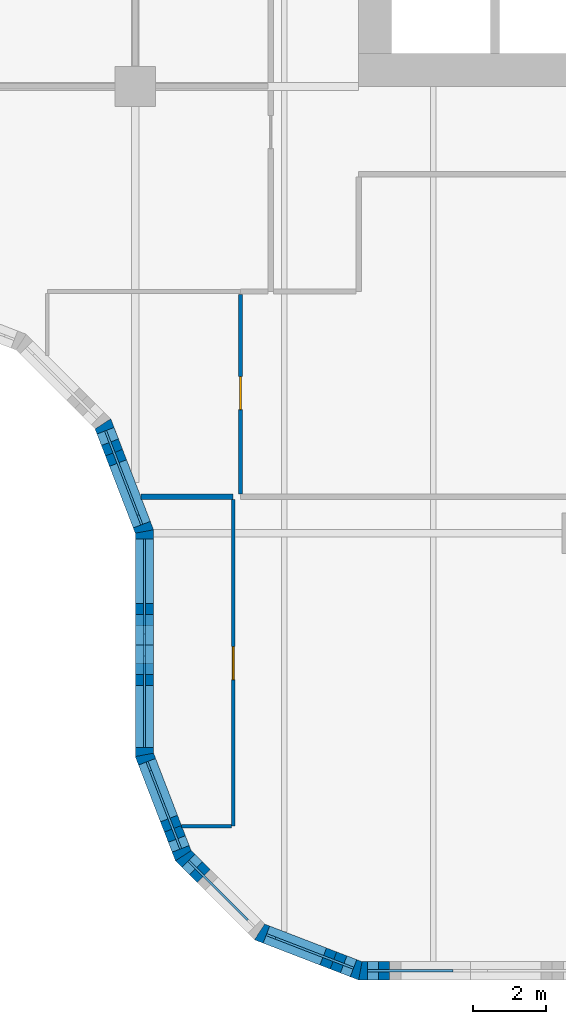
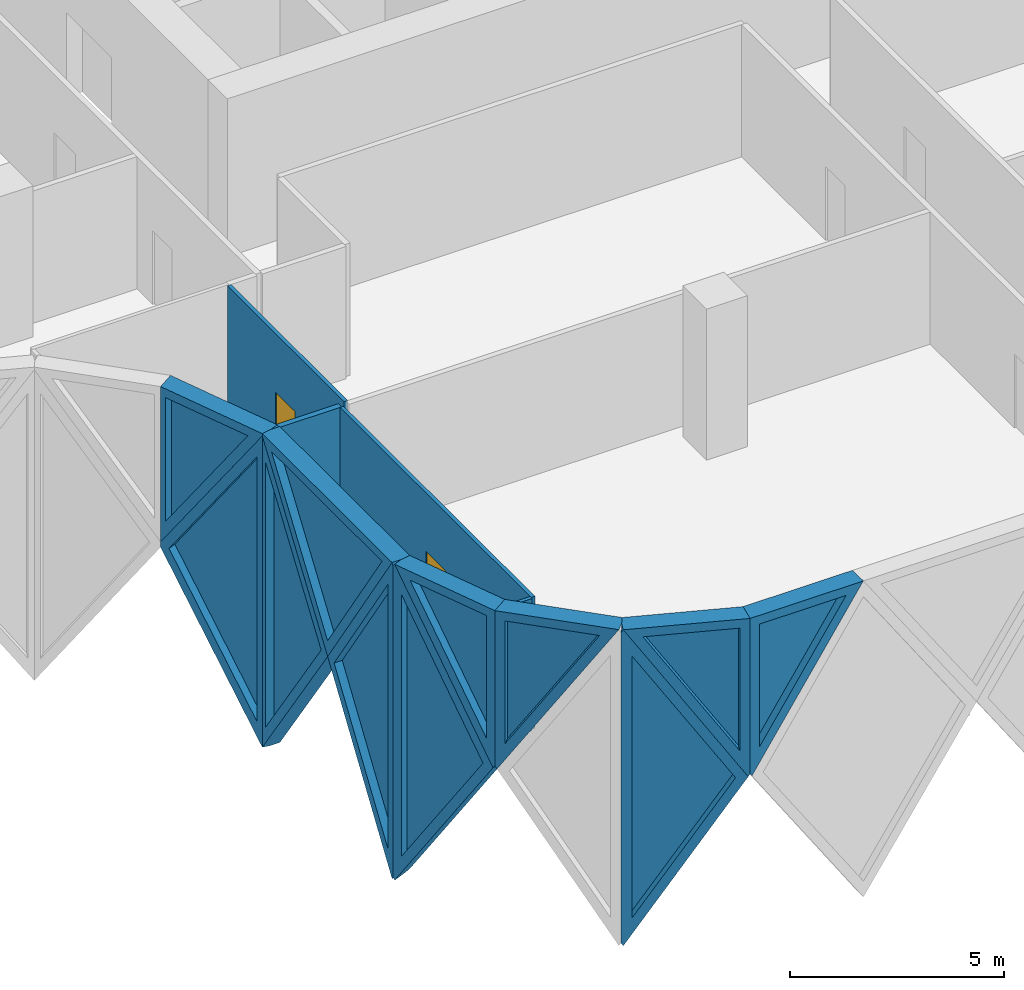
# One storey, part 9 of 30: 15 walls, 11 plates, 2 doors, 13 openings.
"""IFC4 building model written with IfcOpenShell, lengths in metres."""

from ifc_helpers import new_model, si_unit, direction, frame, frame_2d, origin, place, context, subcontext, project, spatial, polyline, rectangle, outline, extrude, faceted_brep, source, transform, mapped, material, layer, layer_set, type_object, element, fill, save


model = new_model("IFC4")

# Units and contexts
model_context = context("Model", 3, precision=1e-05, world=origin(), true_north=direction((0.0, 1.0)))
body_context = subcontext(model_context, "Body", "Model", "MODEL_VIEW")
ifc_project = project(units=[si_unit("LENGTHUNIT", "METRE"), si_unit("AREAUNIT", "SQUARE_METRE"), si_unit("VOLUMEUNIT", "CUBIC_METRE"), si_unit("PLANEANGLEUNIT", "RADIAN"), si_unit("MASSUNIT", "GRAM", prefix="KILO")], contexts=[model_context])

# Site, building, storey
site_placement = place(None, origin())
site = spatial("IfcSite", under=ifc_project, at=site_placement, CompositionType="ELEMENT")
building_placement = place(site_placement, origin())
building = spatial("IfcBuilding", under=site, at=building_placement, Name="Tessera Gate Towers", CompositionType="ELEMENT")
storey_placement = place(building_placement, frame((0.0, 0.0, 21.300048828125)))
storey = spatial("IfcBuildingStorey", under=building, at=storey_placement, Name="L04", CompositionType="ELEMENT", Elevation=21.300048828125)

# Wall
ifc_material_1 = material(Name="Glass", Category="glass")
ifc_layer_1 = layer(ifc_material_1, 0.10009765625)
ifc_layer_set_1 = layer_set([ifc_layer_1], Name="GLAZED PARTITION 100")
wall_type_1 = type_object("IfcWallType", Name="GLAZED PARTITION 100", PredefinedType="PARTITIONING", material=ifc_layer_set_1)
wall_1_placement = place(storey_placement, frame((25.668701171875, 4.199951171875, 0.0), z_axis=(0.0, 0.0, 1.0), x_axis=(1.0, 0.0, 0.0)))
element("IfcWall", 1, at=wall_1_placement, inside=storey, type_object=wall_type_1, Name="T1-L04-PW-003", PredefinedType="PARTITIONING", context=body_context, shape_type="SweptSolid", body=[
    extrude(rectangle(XDim=1.355224609375, YDim=0.10009765625, at=frame_2d((0.677734375, 0.0))), origin(), (0.0, 0.0, 1.0), 3.766845703125),
])

# Wall, opening, door
wall_2_placement = place(storey_placement, frame((27.074951171875, 4.199951171875, 0.0), z_axis=(0.0, 0.0, 1.0), x_axis=(0.0, 1.0, 0.0)))
wall_2 = element("IfcWall", 2, at=wall_2_placement, inside=storey, type_object=wall_type_1, Name="T1-L04-PW-004", PredefinedType="PARTITIONING", context=body_context, shape_type="SweptSolid", body=[
    extrude(rectangle(XDim=8.924072265625, YDim=0.10009765625, at=frame_2d((4.4619140625, 0.0))), origin(), (0.0, 0.0, 1.0), 3.766845703125),
])
shared_shape_1 = source(origin(), body_context, "Body", "SweptSolid", [
    extrude(rectangle(XDim=0.89990234375, YDim=2.10009765625, at=frame_2d((0.449951171875, 1.050048828125))), frame((0.0, 0.06005859375, 0.0), z_axis=(0.0, -1.0, 0.0), x_axis=(1.0, 0.0, 0.0)), (0.0, 0.0, 1.0), 0.1201171875),
])
opening_1_placement = place(wall_2_placement, frame((4.0, 0.0, 0.0)))
opening_1 = element("IfcOpeningElement", 3, at=opening_1_placement, cuts=wall_2, Name="Opening D690-A01-03", PredefinedType="OPENING", context=body_context, shape_type="MappedRepresentation", body=[
    mapped(shared_shape_1, transform((0.0, 0.0, 0.0), scale=1.0)),
])
ifc_material_2 = material(Name="Glass in aluminium frame", Category="aluminium")
door_type = type_object("IfcDoorType", Name="GLAZED DOOR 900 NOT RATED", OperationType="NOTDEFINED", PredefinedType="DOOR", material=ifc_material_2)
shared_shape_2 = source(origin(), body_context, "Body", "SweptSolid", [
    extrude(rectangle(XDim=0.89990234375, YDim=2.10009765625, at=frame_2d((0.449951171875, 1.050048828125))), frame((0.0, 0.02490234375, 0.0), z_axis=(0.0, -1.0, 0.0), x_axis=(1.0, 0.0, 0.0)), (0.0, 0.0, 1.0), 0.050048828125),
])
door_1_placement = place(opening_1_placement, origin())
door_1 = element("IfcDoor", 4, at=door_1_placement, inside=storey, type_object=door_type, Name="T1-L04-PD-023", OperationType="SINGLE_SWING_LEFT", OverallHeight=2.10009765625, OverallWidth=0.89990234375, PredefinedType="DOOR", context=body_context, shape_type="MappedRepresentation", body=[
    mapped(shared_shape_2, transform((0.0, 0.0, 0.0), scale=1.0)),
])
fill(opening_1, door_1)

wall_3_placement = place(storey_placement, frame((27.27490234375, 13.27587890625, 0.0), z_axis=(0.0, 0.0, 1.0), x_axis=(0.0, 1.0, 0.0)))
wall_3 = element("IfcWall", 5, at=wall_3_placement, inside=storey, type_object=wall_type_1, Name="T1-L04-PW-012", PredefinedType="PARTITIONING", context=body_context, shape_type="SweptSolid", body=[
    extrude(rectangle(XDim=5.4482421875, YDim=0.10009765625, at=frame_2d((2.72412109375, 0.0))), origin(), (0.0, 0.0, 1.0), 3.766845703125),
])
opening_2_placement = place(wall_3_placement, frame((2.300048828125, 0.0, 0.0)))
opening_2 = element("IfcOpeningElement", 6, at=opening_2_placement, cuts=wall_3, Name="Opening D690-A01-01", PredefinedType="OPENING", context=body_context, shape_type="MappedRepresentation", body=[
    mapped(shared_shape_1, transform((0.0, 0.0, 0.0), scale=1.0)),
])
door_2_placement = place(opening_2_placement, origin())
door_2 = element("IfcDoor", 7, at=door_2_placement, inside=storey, type_object=door_type, Name="T1-L04-PD-007", OperationType="SINGLE_SWING_LEFT", OverallHeight=2.10009765625, OverallWidth=0.89990234375, PredefinedType="DOOR", context=body_context, shape_type="MappedRepresentation", body=[
    mapped(shared_shape_2, transform((0.0, 0.0, 0.0), scale=1.0)),
])
fill(opening_2, door_2)

# Wall
ifc_material_3 = material(Name="Gypsum board on steel studs, mineral wool", Category="steel")
ifc_layer_2 = layer(ifc_material_3, 0.14990234375)
ifc_layer_set_2 = layer_set([ifc_layer_2], Name="TENANCY WALL 150")
wall_type_2 = type_object("IfcWallType", Name="TENANCY WALL 150", PredefinedType="PARTITIONING", material=ifc_layer_set_2)
wall_4_placement = place(storey_placement, frame((24.55029296875, 13.199951171875, 0.0), z_axis=(0.0, 0.0, 1.0), x_axis=(1.0, 0.0, 0.0)))
element("IfcWall", 8, at=wall_4_placement, inside=storey, type_object=wall_type_2, Name="T1-L04-PW-010", PredefinedType="PARTITIONING", context=body_context, shape_type="SweptSolid", body=[
    extrude(rectangle(XDim=2.524658203125, YDim=0.14990234375, at=frame_2d((1.26220703125, 0.0))), origin(), (0.0, 0.0, 1.0), 3.766845703125),
])

# Wall, opening, plate
ifc_material_4 = material(Name="Precast concrete C60/75 white", Category="concrete")
ifc_layer_3 = layer(ifc_material_4, 0.5)
ifc_layer_set_3 = layer_set([ifc_layer_3], Name="TS3 corner tessera")
wall_type_3 = type_object("IfcWallType", Name="TS3 corner tessera", PredefinedType="SOLIDWALL", material=ifc_layer_set_3)
shared_shape_3 = source(origin(), body_context, "Body", "Brep", [
    faceted_brep([(0.052978515625, -0.25, 0.0), (3.00341796875, -0.25, 4.5), (0.052978515625, -0.25, 9.0), (0.0, -0.25, 8.919189453125), (0.0, -0.25, 0.080810546875), (0.10595703125, 0.25, 8.919189453125), (2.95703125, 0.25, 4.57080078125), (2.95703125, 0.25, 4.42919921875), (0.10595703125, 0.25, 0.080810546875), (3.00341796875, 0.00048828125, 4.5), (0.052978515625, 0.0, 0.0), (0.052978515625, 0.0, 9.0)], [[[0, 1, 2, 3, 4]], [[5, 6, 7, 8]], [[8, 7, 9, 1, 0, 10]], [[6, 5, 11, 2, 1, 9]], [[3, 2, 11]], [[10, 0, 4]], [[8, 10, 4, 3, 11, 5]], [[9, 7, 6]]]),
])
wall_5_placement = place(storey_placement, frame((27.744384765625, 1.3310546875, -4.5), z_axis=(0.0, 0.0, 1.0), x_axis=(0.932970071518, -0.359953949349, 0.0)))
wall_5 = element("IfcWall", 9, at=wall_5_placement, inside=storey, type_object=wall_type_3, Name="Precast corner tessera T1 TS3-0048", PredefinedType="SOLIDWALL", context=body_context, shape_type="MappedRepresentation", body=[
    mapped(shared_shape_3, transform((0.0, 0.0, 0.0), scale=1.0)),
])
shared_shape_4 = source(origin(), body_context, "Body", "SweptSolid", [
    extrude(outline(polyline([(0.2529296875, 0.760986328125), (2.70458984375, 4.5), (0.2529296875, 8.239013671875), (0.2529296875, 0.760986328125)])), frame((0.0, 0.260009765625, 0.0), z_axis=(0.0, -1.0, 0.0), x_axis=(1.0, 0.0, 0.0)), (0.0, 0.0, 1.0), 0.52001953125),
])
opening_3_placement = place(wall_5_placement, origin())
opening_3 = element("IfcOpeningElement", 10, at=opening_3_placement, cuts=wall_5, Name="Opening T1-PL2-0046", PredefinedType="OPENING", context=body_context, shape_type="MappedRepresentation", body=[
    mapped(shared_shape_4, transform((0.0, 0.0, 0.0), scale=1.0)),
])
ifc_material_5 = material(Name="Low-e laminated glass", Category="glass")
ifc_layer_4 = layer(ifc_material_5, 0.06005859375)
ifc_layer_set_4 = layer_set([ifc_layer_4], Name="PL2 rhombic pane")
plate_type_1 = type_object("IfcPlateType", Name="PL2 rhombic pane", PredefinedType="SHEET", material=ifc_layer_set_4)
shared_shape_5 = source(origin(), body_context, "Body", "SweptSolid", [
    extrude(outline(polyline([(0.2529296875, 0.760986328125), (2.70458984375, 4.5), (0.2529296875, 8.239013671875), (0.2529296875, 0.760986328125)])), frame((0.0, 0.030029296875, 0.0), z_axis=(0.0, -1.0, 0.0), x_axis=(1.0, 0.0, 0.0)), (0.0, 0.0, 1.0), 0.06005859375),
])
plate_1_placement = place(opening_3_placement, origin())
plate_1 = element("IfcPlate", 11, at=plate_1_placement, inside=storey, type_object=plate_type_1, Name="Glass pane T1 PL2-0046", PredefinedType="SHEET", context=body_context, shape_type="MappedRepresentation", body=[
    mapped(shared_shape_5, transform((0.0, 0.0, 0.0), scale=1.0)),
])
fill(opening_3, plate_1)

shared_shape_6 = source(origin(), body_context, "Body", "Brep", [
    faceted_brep([(3.00341796875, -0.25, 0.0), (3.050048828125, -0.25, 0.071044921875), (3.050048828125, -0.25, 8.928955078125), (3.00341796875, -0.25, 9.0), (0.0, -0.25, 4.5), (0.0, 0.25, 4.5), (2.956787109375, 0.25, 8.930419921875), (2.956787109375, 0.25, 0.069580078125), (3.00341796875, 0.000244140625, 0.0), (3.00341796875, 0.000244140625, 9.0)], [[[0, 1, 2, 3, 4]], [[5, 6, 7]], [[1, 0, 8]], [[9, 3, 2]], [[6, 5, 4, 3, 9]], [[5, 7, 8, 0, 4]], [[1, 8, 7, 6, 9, 2]]]),
])
wall_6_placement = place(storey_placement, frame((24.64990234375, 9.14990234375, -4.5), z_axis=(0.0, 0.0, 1.0), x_axis=(0.0, -1.0, 0.0)))
wall_6 = element("IfcWall", 12, at=wall_6_placement, inside=storey, type_object=wall_type_3, Name="Precast corner tessera T1 TS3-0045", PredefinedType="SOLIDWALL", context=body_context, shape_type="MappedRepresentation", body=[
    mapped(shared_shape_6, transform((0.0, 0.0, 0.0), scale=1.0)),
])
shared_shape_7 = source(origin(), body_context, "Body", "SweptSolid", [
    extrude(outline(polyline([(2.803466796875, 8.25), (0.300537109375, 4.5), (2.803466796875, 0.75), (2.803466796875, 8.25)])), frame((0.0, 0.260009765625, 0.0), z_axis=(0.0, -1.0, 0.0), x_axis=(1.0, 0.0, 0.0)), (0.0, 0.0, 1.0), 0.52001953125),
])
opening_4_placement = place(wall_6_placement, origin())
opening_4 = element("IfcOpeningElement", 13, at=opening_4_placement, cuts=wall_6, Name="Opening T1-PL2-0043", PredefinedType="OPENING", context=body_context, shape_type="MappedRepresentation", body=[
    mapped(shared_shape_7, transform((0.0, 0.0, 0.0), scale=1.0)),
])
shared_shape_8 = source(origin(), body_context, "Body", "SweptSolid", [
    extrude(outline(polyline([(2.803466796875, 8.25), (0.300537109375, 4.5), (2.803466796875, 0.75), (2.803466796875, 8.25)])), frame((0.0, 0.030029296875, 0.0), z_axis=(0.0, -1.0, 0.0), x_axis=(1.0, 0.0, 0.0)), (0.0, 0.0, 1.0), 0.06005859375),
])
plate_2_placement = place(opening_4_placement, origin())
plate_2 = element("IfcPlate", 14, at=plate_2_placement, inside=storey, type_object=plate_type_1, Name="Glass pane T1 PL2-0043", PredefinedType="SHEET", context=body_context, shape_type="MappedRepresentation", body=[
    mapped(shared_shape_8, transform((0.0, 0.0, 0.0), scale=1.0)),
])
fill(opening_4, plate_2)

shared_shape_9 = source(origin(), body_context, "Body", "Brep", [
    faceted_brep([(0.046630859375, -0.25, 0.0), (2.9970703125, -0.25, 4.5), (0.046630859375, -0.25, 9.0), (0.0, -0.25, 8.93017578125), (0.0, -0.25, 0.06982421875), (0.09326171875, 0.25, 8.928955078125), (2.9443359375, 0.25, 4.58056640625), (2.9443359375, 0.25, 4.41943359375), (0.09326171875, 0.25, 0.071044921875), (2.9970703125, 0.00048828125, 4.5), (0.046630859375, 0.0, 0.0), (0.046630859375, 0.0, 9.0)], [[[0, 1, 2, 3, 4]], [[5, 6, 7, 8]], [[8, 7, 9, 1, 0, 10]], [[6, 5, 11, 2, 1, 9]], [[3, 2, 11]], [[10, 0, 4]], [[8, 10, 4, 3, 11, 5]], [[9, 7, 6]]]),
])
wall_7_placement = place(storey_placement, frame((24.63330078125, 6.18994140625, -4.5), z_axis=(0.0, 0.0, 1.0), x_axis=(0.359901446078, -0.932990326376, 0.0)))
wall_7 = element("IfcWall", 15, at=wall_7_placement, inside=storey, type_object=wall_type_3, Name="Precast corner tessera T1 TS3-0046", PredefinedType="SOLIDWALL", context=body_context, shape_type="MappedRepresentation", body=[
    mapped(shared_shape_9, transform((0.0, 0.0, 0.0), scale=1.0)),
])
shared_shape_10 = source(origin(), body_context, "Body", "SweptSolid", [
    extrude(outline(polyline([(0.24658203125, 0.760986328125), (2.6982421875, 4.5), (0.24658203125, 8.239013671875), (0.24658203125, 0.760986328125)])), frame((0.0, 0.260009765625, 0.0), z_axis=(0.0, -1.0, 0.0), x_axis=(1.0, 0.0, 0.0)), (0.0, 0.0, 1.0), 0.52001953125),
])
opening_5_placement = place(wall_7_placement, origin())
opening_5 = element("IfcOpeningElement", 16, at=opening_5_placement, cuts=wall_7, Name="Opening T1-PL2-0044", PredefinedType="OPENING", context=body_context, shape_type="MappedRepresentation", body=[
    mapped(shared_shape_10, transform((0.0, 0.0, 0.0), scale=1.0)),
])
shared_shape_11 = source(origin(), body_context, "Body", "SweptSolid", [
    extrude(outline(polyline([(0.24658203125, 0.760986328125), (2.6982421875, 4.5), (0.24658203125, 8.239013671875), (0.24658203125, 0.760986328125)])), frame((0.0, 0.030029296875, 0.0), z_axis=(0.0, -1.0, 0.0), x_axis=(1.0, 0.0, 0.0)), (0.0, 0.0, 1.0), 0.06005859375),
])
plate_3_placement = place(opening_5_placement, origin())
plate_3 = element("IfcPlate", 17, at=plate_3_placement, inside=storey, type_object=plate_type_1, Name="Glass pane T1 PL2-0044", PredefinedType="SHEET", context=body_context, shape_type="MappedRepresentation", body=[
    mapped(shared_shape_11, transform((0.0, 0.0, 0.0), scale=1.0)),
])
fill(opening_5, plate_3)

shared_shape_12 = source(origin(), body_context, "Body", "Brep", [
    faceted_brep([(3.10302734375, -0.25, 8.93359375), (0.052978515625, -0.25, 4.57568359375), (0.052978515625, -0.25, 4.42431640625), (3.10302734375, -0.25, 0.06640625), (0.0, 0.25, 4.5), (3.1494140625, 0.25, 9.0), (3.196044921875, 0.25, 8.932373046875), (3.196044921875, 0.25, 0.067626953125), (3.1494140625, 0.25, 0.0), (3.1494140625, -0.000244140625, 0.0), (3.1494140625, -0.000244140625, 9.0), (0.0, 0.0, 4.5)], [[[0, 1, 2, 3]], [[4, 5, 6, 7, 8]], [[8, 7, 9]], [[6, 5, 10]], [[5, 4, 11, 1, 0, 10]], [[4, 8, 9, 3, 2, 11]], [[11, 2, 1]], [[3, 9, 7, 6, 10, 0]]]),
])
wall_8_placement = place(storey_placement, frame((23.5166015625, 15.18505859375, -4.5), z_axis=(0.0, 0.0, 1.0), x_axis=(0.359864468756, -0.933004589553, 0.0)))
wall_8 = element("IfcWall", 18, at=wall_8_placement, inside=storey, type_object=wall_type_3, Name="Precast corner tessera T1 TS3-0043", PredefinedType="SOLIDWALL", context=body_context, shape_type="MappedRepresentation", body=[
    mapped(shared_shape_12, transform((0.0, 0.0, 0.0), scale=1.0)),
])
shared_shape_13 = source(origin(), body_context, "Body", "SweptSolid", [
    extrude(outline(polyline([(2.949462890625, 8.278076171875), (0.30517578125, 4.5), (2.949462890625, 0.7216796875), (2.949462890625, 8.278076171875)])), frame((0.0, 0.260009765625, 0.0), z_axis=(0.0, -1.0, 0.0), x_axis=(1.0, 0.0, 0.0)), (0.0, 0.0, 1.0), 0.52001953125),
])
opening_6_placement = place(wall_8_placement, origin())
opening_6 = element("IfcOpeningElement", 19, at=opening_6_placement, cuts=wall_8, Name="Opening T1-PL2-0041", PredefinedType="OPENING", context=body_context, shape_type="MappedRepresentation", body=[
    mapped(shared_shape_13, transform((0.0, 0.0, 0.0), scale=1.0)),
])
shared_shape_14 = source(origin(), body_context, "Body", "SweptSolid", [
    extrude(outline(polyline([(2.949462890625, 8.278076171875), (0.30517578125, 4.5), (2.949462890625, 0.7216796875), (2.949462890625, 8.278076171875)])), frame((0.0, 0.030029296875, 0.0), z_axis=(0.0, -1.0, 0.0), x_axis=(1.0, 0.0, 0.0)), (0.0, 0.0, 1.0), 0.06005859375),
])
plate_4_placement = place(opening_6_placement, origin())
plate_4 = element("IfcPlate", 20, at=plate_4_placement, inside=storey, type_object=plate_type_1, Name="Glass pane T1 PL2-0041", PredefinedType="SHEET", context=body_context, shape_type="MappedRepresentation", body=[
    mapped(shared_shape_14, transform((0.0, 0.0, 0.0), scale=1.0)),
])
fill(opening_6, plate_4)

shared_shape_15 = source(origin(), body_context, "Body", "Brep", [
    faceted_brep([(0.09326171875, -0.25, 0.067626953125), (3.14306640625, -0.25, 4.5), (0.09326171875, -0.25, 8.932373046875), (0.0, 0.25, 8.93359375), (0.046630859375, 0.25, 9.0), (3.14306640625, 0.25, 4.5), (0.046630859375, 0.25, 0.0), (0.0, 0.25, 0.06640625), (0.046630859375, 0.0, 0.0), (0.046630859375, 0.0, 9.0)], [[[0, 1, 2]], [[3, 4, 5, 6, 7]], [[6, 5, 1, 0, 8]], [[5, 4, 9, 2, 1]], [[4, 3, 9]], [[7, 6, 8]], [[7, 8, 0, 2, 9, 3]]]),
])
wall_9_placement = place(storey_placement, frame((24.64990234375, 12.293212890625, -4.5), z_axis=(0.0, 0.0, 1.0), x_axis=(0.0, -1.0, 0.0)))
wall_9 = element("IfcWall", 21, at=wall_9_placement, inside=storey, type_object=wall_type_3, Name="Precast corner tessera T1 TS3-0044", PredefinedType="SOLIDWALL", context=body_context, shape_type="MappedRepresentation", body=[
    mapped(shared_shape_15, transform((0.0, 0.0, 0.0), scale=1.0)),
])
shared_shape_16 = source(origin(), body_context, "Body", "SweptSolid", [
    extrude(outline(polyline([(0.24658203125, 0.731689453125), (2.839599609375, 4.5), (0.24658203125, 8.268310546875), (0.24658203125, 0.731689453125)])), frame((0.0, 0.260009765625, 0.0), z_axis=(0.0, -1.0, 0.0), x_axis=(1.0, 0.0, 0.0)), (0.0, 0.0, 1.0), 0.52001953125),
])
opening_7_placement = place(wall_9_placement, origin())
opening_7 = element("IfcOpeningElement", 22, at=opening_7_placement, cuts=wall_9, Name="Opening T1-PL2-0042", PredefinedType="OPENING", context=body_context, shape_type="MappedRepresentation", body=[
    mapped(shared_shape_16, transform((0.0, 0.0, 0.0), scale=1.0)),
])
shared_shape_17 = source(origin(), body_context, "Body", "SweptSolid", [
    extrude(outline(polyline([(0.24658203125, 0.731689453125), (2.839599609375, 4.5), (0.24658203125, 8.268310546875), (0.24658203125, 0.731689453125)])), frame((0.0, 0.030029296875, 0.0), z_axis=(0.0, -1.0, 0.0), x_axis=(1.0, 0.0, 0.0)), (0.0, 0.0, 1.0), 0.06005859375),
])
plate_5_placement = place(opening_7_placement, origin())
plate_5 = element("IfcPlate", 23, at=plate_5_placement, inside=storey, type_object=plate_type_1, Name="Glass pane T1 PL2-0042", PredefinedType="SHEET", context=body_context, shape_type="MappedRepresentation", body=[
    mapped(shared_shape_17, transform((0.0, 0.0, 0.0), scale=1.0)),
])
fill(opening_7, plate_5)

shared_shape_18 = source(origin(), body_context, "Body", "Brep", [
    faceted_brep([(0.046630859375, -0.25, 0.0), (3.050048828125, -0.25, 4.5), (0.0, -0.25, 4.5), (0.0, -0.25, 0.071044921875), (0.09326171875, 0.25, 4.5), (3.050048828125, 0.25, 4.5), (0.09326171875, 0.25, 0.06982421875), (0.046630859375, 0.0, 0.0)], [[[0, 1, 2, 3]], [[4, 5, 6]], [[6, 5, 1, 0, 7]], [[5, 4, 2, 1]], [[7, 0, 3]], [[6, 7, 3, 2, 4]]]),
])
wall_10_placement = place(storey_placement, frame((30.5, 0.25, 0.0), z_axis=(0.0, 0.0, 1.0), x_axis=(1.0, 0.0, 0.0)))
wall_10 = element("IfcWall", 24, at=wall_10_placement, inside=storey, type_object=wall_type_3, Name="Precast corner tessera T1 TS3-0049", PredefinedType="SOLIDWALL", context=body_context, shape_type="MappedRepresentation", body=[
    mapped(shared_shape_18, transform((0.0, 0.0, 0.0), scale=1.0)),
])
shared_shape_19 = source(origin(), body_context, "Body", "SweptSolid", [
    extrude(outline(polyline([(0.24658203125, 0.75), (2.582763671875, 4.25), (0.24658203125, 4.25), (0.24658203125, 0.75)])), frame((0.0, 0.260009765625, 0.0), z_axis=(0.0, -1.0, 0.0), x_axis=(1.0, 0.0, 0.0)), (0.0, 0.0, 1.0), 0.52001953125),
])
opening_8_placement = place(wall_10_placement, origin())
opening_8 = element("IfcOpeningElement", 25, at=opening_8_placement, cuts=wall_10, Name="Opening T1-PL1-0047", PredefinedType="OPENING", context=body_context, shape_type="MappedRepresentation", body=[
    mapped(shared_shape_19, transform((0.0, 0.0, 0.0), scale=1.0)),
])
ifc_material_6 = material(Name="Low-e laminated glass", Category="glass")
ifc_layer_5 = layer(ifc_material_6, 0.06005859375)
ifc_layer_set_5 = layer_set([ifc_layer_5], Name="PL1 triangular pane")
plate_type_2 = type_object("IfcPlateType", Name="PL1 triangular pane", PredefinedType="SHEET", material=ifc_layer_set_5)
shared_shape_20 = source(origin(), body_context, "Body", "SweptSolid", [
    extrude(outline(polyline([(0.24658203125, 0.75), (2.582763671875, 4.25), (0.24658203125, 4.25), (0.24658203125, 0.75)])), frame((0.0, 0.030029296875, 0.0), z_axis=(0.0, -1.0, 0.0), x_axis=(1.0, 0.0, 0.0)), (0.0, 0.0, 1.0), 0.06005859375),
])
plate_6_placement = place(opening_8_placement, origin())
plate_6 = element("IfcPlate", 26, at=plate_6_placement, inside=storey, type_object=plate_type_2, Name="Glass pane T1 PL1-0047", PredefinedType="SHEET", context=body_context, shape_type="MappedRepresentation", body=[
    mapped(shared_shape_20, transform((0.0, 0.0, 0.0), scale=1.0)),
])
fill(opening_8, plate_6)

shared_shape_21 = source(origin(), body_context, "Body", "Brep", [
    faceted_brep([(2.950439453125, -0.25, 0.0), (2.9970703125, -0.25, 0.06982421875), (2.9970703125, -0.25, 4.5), (0.0, -0.25, 4.5), (0.052978515625, 0.25, 4.5), (2.904052734375, 0.25, 4.5), (2.904052734375, 0.25, 0.07080078125), (0.052978515625, 0.25, 4.419189453125), (2.950439453125, 0.00048828125, 0.0), (0.0, 0.0, 4.5)], [[[0, 1, 2, 3]], [[4, 5, 6, 7]], [[1, 0, 8]], [[5, 4, 9, 3, 2]], [[7, 6, 8, 0, 3, 9]], [[7, 9, 4]], [[1, 8, 6, 5, 2]]]),
])
wall_11_placement = place(storey_placement, frame((27.793701171875, 1.31201171875, 0.0), z_axis=(0.0, 0.0, 1.0), x_axis=(0.932973525033, -0.359944998003, 0.0)))
wall_11 = element("IfcWall", 27, at=wall_11_placement, inside=storey, type_object=wall_type_3, Name="Precast corner tessera T1 TS3-0050", PredefinedType="SOLIDWALL", context=body_context, shape_type="MappedRepresentation", body=[
    mapped(shared_shape_21, transform((0.0, 0.0, 0.0), scale=1.0)),
])
shared_shape_22 = source(origin(), body_context, "Body", "SweptSolid", [
    extrude(outline(polyline([(2.75048828125, 4.25), (0.462890625, 4.25), (2.75048828125, 0.760986328125), (2.75048828125, 4.25)])), frame((0.0, 0.260009765625, 0.0), z_axis=(0.0, -1.0, 0.0), x_axis=(1.0, 0.0, 0.0)), (0.0, 0.0, 1.0), 0.52001953125),
])
opening_9_placement = place(wall_11_placement, origin())
opening_9 = element("IfcOpeningElement", 28, at=opening_9_placement, cuts=wall_11, Name="Opening T1-PL1-0048", PredefinedType="OPENING", context=body_context, shape_type="MappedRepresentation", body=[
    mapped(shared_shape_22, transform((0.0, 0.0, 0.0), scale=1.0)),
])
shared_shape_23 = source(origin(), body_context, "Body", "SweptSolid", [
    extrude(outline(polyline([(2.75048828125, 4.25), (0.462890625, 4.25), (2.75048828125, 0.760986328125), (2.75048828125, 4.25)])), frame((0.0, 0.030029296875, 0.0), z_axis=(0.0, -1.0, 0.0), x_axis=(1.0, 0.0, 0.0)), (0.0, 0.0, 1.0), 0.06005859375),
])
plate_7_placement = place(opening_9_placement, origin())
plate_7 = element("IfcPlate", 29, at=plate_7_placement, inside=storey, type_object=plate_type_2, Name="Glass pane T1 PL1-0048", PredefinedType="SHEET", context=body_context, shape_type="MappedRepresentation", body=[
    mapped(shared_shape_23, transform((0.0, 0.0, 0.0), scale=1.0)),
])
fill(opening_9, plate_7)

shared_shape_24 = source(origin(), body_context, "Body", "Brep", [
    faceted_brep([(0.10595703125, -0.25, 0.07568359375), (3.156005859375, -0.25, 4.43359375), (3.156005859375, -0.25, 4.5), (0.10595703125, -0.25, 4.5), (0.0, 0.25, 4.5), (3.202392578125, 0.25, 4.5), (0.052978515625, 0.25, 0.0), (0.0, 0.25, 0.075439453125), (3.202392578125, -0.000244140625, 4.5), (0.052978515625, 0.0, 0.0)], [[[0, 1, 2, 3]], [[4, 5, 6, 7]], [[6, 5, 8, 1, 0, 9]], [[5, 4, 3, 2, 8]], [[7, 6, 9]], [[7, 9, 0, 3, 4]], [[1, 8, 2]]]),
])
wall_12_placement = place(storey_placement, frame((23.497314453125, 15.234375, 0.0), z_axis=(0.0, 0.0, 1.0), x_axis=(0.359913782069, -0.932985567668, 0.0)))
wall_12 = element("IfcWall", 30, at=wall_12_placement, inside=storey, type_object=wall_type_3, Name="Precast corner tessera T1 TS3-0070", PredefinedType="SOLIDWALL", context=body_context, shape_type="MappedRepresentation", body=[
    mapped(shared_shape_24, transform((0.0, 0.0, 0.0), scale=1.0)),
])
shared_shape_25 = source(origin(), body_context, "Body", "SweptSolid", [
    extrude(outline(polyline([(0.2529296875, 0.7216796875), (2.722412109375, 4.25), (0.2529296875, 4.25), (0.2529296875, 0.7216796875)])), frame((0.0, 0.260009765625, 0.0), z_axis=(0.0, -1.0, 0.0), x_axis=(1.0, 0.0, 0.0)), (0.0, 0.0, 1.0), 0.52001953125),
])
opening_10_placement = place(wall_12_placement, origin())
opening_10 = element("IfcOpeningElement", 31, at=opening_10_placement, cuts=wall_12, Name="Opening T1-PL1-0090", PredefinedType="OPENING", context=body_context, shape_type="MappedRepresentation", body=[
    mapped(shared_shape_25, transform((0.0, 0.0, 0.0), scale=1.0)),
])
shared_shape_26 = source(origin(), body_context, "Body", "SweptSolid", [
    extrude(outline(polyline([(0.2529296875, 0.7216796875), (2.722412109375, 4.25), (0.2529296875, 4.25), (0.2529296875, 0.7216796875)])), frame((0.0, 0.030029296875, 0.0), z_axis=(0.0, -1.0, 0.0), x_axis=(1.0, 0.0, 0.0)), (0.0, 0.0, 1.0), 0.06005859375),
])
plate_8_placement = place(opening_10_placement, origin())
plate_8 = element("IfcPlate", 32, at=plate_8_placement, inside=storey, type_object=plate_type_2, Name="Glass pane T1 PL1-0090", PredefinedType="SHEET", context=body_context, shape_type="MappedRepresentation", body=[
    mapped(shared_shape_26, transform((0.0, 0.0, 0.0), scale=1.0)),
])
fill(opening_10, plate_8)

ifc_material_7 = material(Name="Precast concrete C60/75 white", Category="concrete")
ifc_layer_6 = layer(ifc_material_7, 0.5)
ifc_layer_set_6 = layer_set([ifc_layer_6], Name="TS2 half tessera")
wall_type_4 = type_object("IfcWallType", Name="TS2 half tessera", PredefinedType="SOLIDWALL", material=ifc_layer_set_6)
shared_shape_27 = source(origin(), body_context, "Body", "Brep", [
    faceted_brep([(3.096435546875, -0.25, 0.0), (6.10009765625, -0.25, 4.5), (0.046630859375, -0.25, 4.5), (0.046630859375, -0.25, 4.432373046875), (0.0, 0.25, 4.5), (6.053466796875, 0.25, 4.5), (6.053466796875, 0.25, 4.43017578125), (3.096435546875, 0.25, 0.0), (6.10009765625, -0.00048828125, 4.5), (0.0, 0.0, 4.5)], [[[0, 1, 2, 3]], [[4, 5, 6, 7]], [[7, 6, 8, 1, 0]], [[5, 4, 9, 2, 1, 8]], [[4, 7, 0, 3, 9]], [[3, 2, 9]], [[6, 5, 8]]]),
])
wall_13_placement = place(storey_placement, frame((24.64990234375, 12.24658203125, 0.0), z_axis=(0.0, 0.0, 1.0), x_axis=(0.0, -1.0, 0.0)))
wall_13 = element("IfcWall", 33, at=wall_13_placement, inside=storey, type_object=wall_type_4, Name="Precast half tessera T1 TS2-0045", PredefinedType="SOLIDWALL", context=body_context, shape_type="MappedRepresentation", body=[
    mapped(shared_shape_27, transform((0.0, 0.0, 0.0), scale=1.0)),
])
shared_shape_28 = source(origin(), body_context, "Body", "SweptSolid", [
    extrude(outline(polyline([(3.093505859375, 0.445556640625), (5.632568359375, 4.25), (0.4755859375, 4.25), (3.093505859375, 0.445556640625)])), frame((0.0, 0.260009765625, 0.0), z_axis=(0.0, -1.0, 0.0), x_axis=(1.0, 0.0, 0.0)), (0.0, 0.0, 1.0), 0.52001953125),
])
opening_11_placement = place(wall_13_placement, origin())
opening_11 = element("IfcOpeningElement", 34, at=opening_11_placement, cuts=wall_13, Name="Opening T1-PL1-0091", PredefinedType="OPENING", context=body_context, shape_type="MappedRepresentation", body=[
    mapped(shared_shape_28, transform((0.0, 0.0, 0.0), scale=1.0)),
])
shared_shape_29 = source(origin(), body_context, "Body", "SweptSolid", [
    extrude(outline(polyline([(3.093505859375, 0.445556640625), (5.632568359375, 4.25), (0.4755859375, 4.25), (3.093505859375, 0.445556640625)])), frame((0.0, 0.030029296875, 0.0), z_axis=(0.0, -1.0, 0.0), x_axis=(1.0, 0.0, 0.0)), (0.0, 0.0, 1.0), 0.06005859375),
])
plate_9_placement = place(opening_11_placement, origin())
plate_9 = element("IfcPlate", 35, at=plate_9_placement, inside=storey, type_object=plate_type_2, Name="Glass pane T1 PL1-0091", PredefinedType="SHEET", context=body_context, shape_type="MappedRepresentation", body=[
    mapped(shared_shape_29, transform((0.0, 0.0, 0.0), scale=1.0)),
])
fill(opening_11, plate_9)

shared_shape_30 = source(origin(), body_context, "Body", "Brep", [
    faceted_brep([(2.950439453125, -0.25, 0.0), (3.00341796875, -0.25, 0.0810546875), (3.00341796875, -0.25, 4.5), (0.0, -0.25, 4.5), (0.046630859375, 0.25, 4.5), (2.897705078125, 0.25, 4.5), (2.897705078125, 0.25, 0.08056640625), (0.046630859375, 0.25, 4.428955078125), (2.950439453125, 0.00048828125, 0.0), (0.0, 0.0, 4.5)], [[[0, 1, 2, 3]], [[4, 5, 6, 7]], [[1, 0, 8]], [[5, 4, 9, 3, 2]], [[7, 6, 8, 0, 3, 9]], [[7, 9, 4]], [[1, 8, 6, 5, 2]]]),
])
wall_14_placement = place(storey_placement, frame((24.64990234375, 6.146484375, 0.0), z_axis=(0.0, 0.0, 1.0), x_axis=(0.359953949349, -0.932970071518, 0.0)))
wall_14 = element("IfcWall", 36, at=wall_14_placement, inside=storey, type_object=wall_type_3, Name="Precast corner tessera T1 TS3-0071", PredefinedType="SOLIDWALL", context=body_context, shape_type="MappedRepresentation", body=[
    mapped(shared_shape_30, transform((0.0, 0.0, 0.0), scale=1.0)),
])
opening_12_placement = place(wall_14_placement, origin())
opening_12 = element("IfcOpeningElement", 37, at=opening_12_placement, cuts=wall_14, Name="Opening T1-PL1-0092", PredefinedType="OPENING", context=body_context, shape_type="MappedRepresentation", body=[
    mapped(shared_shape_22, transform((0.0, 0.0, 0.0), scale=1.0)),
])
plate_10_placement = place(opening_12_placement, origin())
plate_10 = element("IfcPlate", 38, at=plate_10_placement, inside=storey, type_object=plate_type_2, Name="Glass pane T1 PL1-0092", PredefinedType="SHEET", context=body_context, shape_type="MappedRepresentation", body=[
    mapped(shared_shape_23, transform((0.0, 0.0, 0.0), scale=1.0)),
])
fill(opening_12, plate_10)

shared_shape_31 = source(origin(), body_context, "Body", "Brep", [
    faceted_brep([(0.052978515625, -0.25, 0.0), (2.9970703125, -0.25, 4.5), (0.0, -0.25, 4.5), (0.0, -0.25, 0.080810546875), (0.10595703125, 0.25, 4.5), (2.944091796875, 0.25, 4.5), (2.944091796875, 0.25, 4.419189453125), (0.10595703125, 0.25, 0.080810546875), (2.9970703125, 0.000244140625, 4.5), (0.052978515625, 0.0, 0.0)], [[[0, 1, 2, 3]], [[4, 5, 6, 7]], [[7, 6, 8, 1, 0, 9]], [[5, 4, 2, 1, 8]], [[9, 0, 3]], [[7, 9, 3, 2, 4]], [[6, 5, 8]]]),
])
wall_15_placement = place(storey_placement, frame((25.674560546875, 3.43115234375, 0.0), z_axis=(0.0, 0.0, 1.0), x_axis=(0.707106781187, -0.707106781187, 0.0)))
wall_15 = element("IfcWall", 39, at=wall_15_placement, inside=storey, type_object=wall_type_3, Name="Precast corner tessera T1 TS3-0072", PredefinedType="SOLIDWALL", context=body_context, shape_type="MappedRepresentation", body=[
    mapped(shared_shape_31, transform((0.0, 0.0, 0.0), scale=1.0)),
])
shared_shape_32 = source(origin(), body_context, "Body", "SweptSolid", [
    extrude(outline(polyline([(0.2529296875, 0.76220703125), (2.534912109375, 4.25), (0.2529296875, 4.25), (0.2529296875, 0.76220703125)])), frame((0.0, 0.260009765625, 0.0), z_axis=(0.0, -1.0, 0.0), x_axis=(1.0, 0.0, 0.0)), (0.0, 0.0, 1.0), 0.52001953125),
])
opening_13_placement = place(wall_15_placement, origin())
opening_13 = element("IfcOpeningElement", 40, at=opening_13_placement, cuts=wall_15, Name="Opening T1-PL1-0093", PredefinedType="OPENING", context=body_context, shape_type="MappedRepresentation", body=[
    mapped(shared_shape_32, transform((0.0, 0.0, 0.0), scale=1.0)),
])
shared_shape_33 = source(origin(), body_context, "Body", "SweptSolid", [
    extrude(outline(polyline([(0.2529296875, 0.76220703125), (2.534912109375, 4.25), (0.2529296875, 4.25), (0.2529296875, 0.76220703125)])), frame((0.0, 0.030029296875, 0.0), z_axis=(0.0, -1.0, 0.0), x_axis=(1.0, 0.0, 0.0)), (0.0, 0.0, 1.0), 0.06005859375),
])
plate_11_placement = place(opening_13_placement, origin())
plate_11 = element("IfcPlate", 41, at=plate_11_placement, inside=storey, type_object=plate_type_2, Name="Glass pane T1 PL1-0093", PredefinedType="SHEET", context=body_context, shape_type="MappedRepresentation", body=[
    mapped(shared_shape_33, transform((0.0, 0.0, 0.0), scale=1.0)),
])
fill(opening_13, plate_11)

save(model, "model.ifc")
